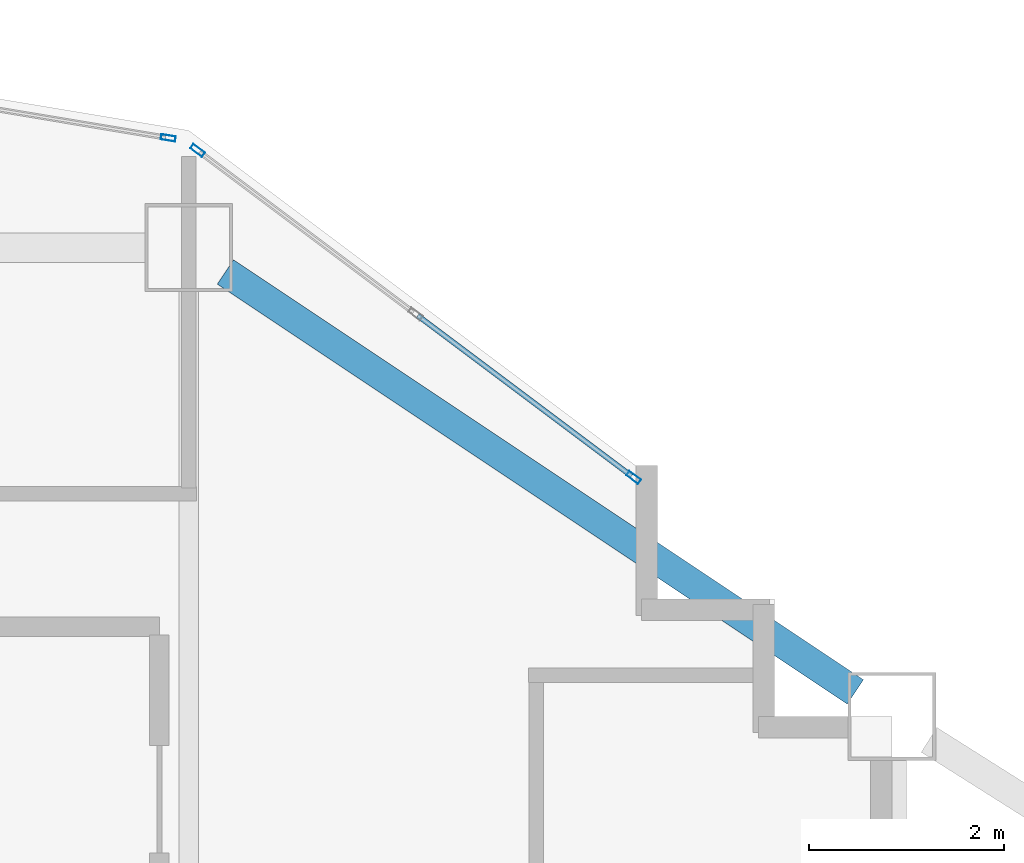
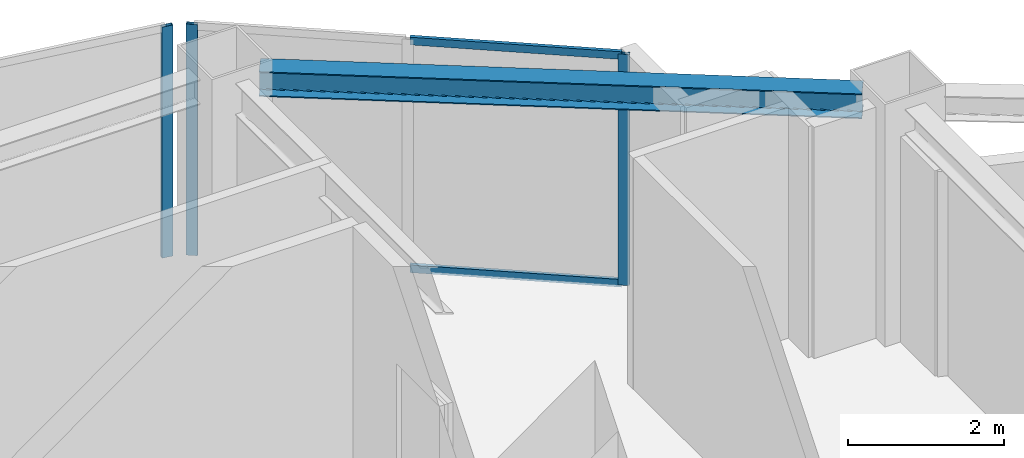
# One storey, part 3 of 11: 5 members, 1 beam, 2 elements without a shape of their own.
"""IFC4 building model written with IfcOpenShell, lengths in metres."""

import ifcopenshell
import ifcopenshell.guid

model = None  # the IFC model being written
_history = None  # IfcOwnerHistory: only IFC2X3 demands one
_inside = {}  # id of a spatial element -> (the spatial element, [elements in it])
_under = {}  # id of a project, library or spatial element -> (it, [spatial elements below it])
_declared = {}  # id of a project -> (the project, [libraries it declares])
_typed = {}  # id of a type object -> (the type object, [elements of that type])
_made_of = {}  # id of a material, layer set ... -> (it, [elements and type objects made of it])


def new_model(schema):
    """Start an empty IFC model of exactly this schema.

    Asked for "IFC4X3", IfcOpenShell would pick the latest addendum, in which some entities
    have other attributes; the version numbers below select the first issue.
    IFC2X3 requires an IfcOwnerHistory on every rooted entity: one is made here for all.
    """
    global model, _history
    if schema == "IFC4X3":
        model = ifcopenshell.file(schema_version=(4, 3, 0, 0))
    else:
        model = ifcopenshell.file(schema=schema)
    _inside.clear()
    _under.clear()
    _declared.clear()
    _typed.clear()
    _made_of.clear()
    _history = None
    if model.schema == "IFC2X3":
        org = make("IfcOrganization", Name="unknown")
        user = make(
            "IfcPersonAndOrganization",
            ThePerson=make("IfcPerson", FamilyName="unknown"),
            TheOrganization=org,
        )
        app = make(
            "IfcApplication",
            ApplicationDeveloper=org,
            Version="unknown",
            ApplicationFullName="unknown",
            ApplicationIdentifier="unknown",
        )
        _history = make(
            "IfcOwnerHistory",
            OwningUser=user,
            OwningApplication=app,
            ChangeAction="ADDED",
            CreationDate=0,
        )
    return model


def make(cls, **values):
    """One entity of the class cls with the attributes given. An attribute that is None is left unset."""
    return model.create_entity(
        cls, **{name: value for name, value in values.items() if value is not None}
    )


def rooted(cls, **values):
    """An entity with a GlobalId (a new one), such as an element, a storey or a relation."""
    return make(cls, GlobalId=ifcopenshell.guid.new(), OwnerHistory=_history, **values)


def si_unit(unit_type, name, prefix=None):
    """IfcSIUnit, for example si_unit("LENGTHUNIT", "METRE", prefix="MILLI")."""
    return make("IfcSIUnit", UnitType=unit_type, Prefix=prefix, Name=name)


def assignment(units):
    """IfcUnitAssignment: the units of a project."""
    return None if units is None else make("IfcUnitAssignment", Units=units)


def point(xyz):
    """IfcCartesianPoint."""
    return None if xyz is None else make("IfcCartesianPoint", Coordinates=xyz)


def direction(xyz):
    """IfcDirection."""
    return None if xyz is None else make("IfcDirection", DirectionRatios=xyz)


def frame(location, z_axis=None, x_axis=None):
    """IfcAxis2Placement3D, a coordinate frame: its origin and axes. An axis left out is left unset."""
    return make(
        "IfcAxis2Placement3D",
        Location=point(location),
        Axis=direction(z_axis),
        RefDirection=direction(x_axis),
    )


def frame_2d(location, x_axis=None):
    """IfcAxis2Placement2D, a coordinate frame in the plane: its origin and x axis."""
    return make(
        "IfcAxis2Placement2D", Location=point(location), RefDirection=direction(x_axis)
    )


def origin():
    """The frame at (0, 0, 0) with its axes left unset."""
    return frame((0.0, 0.0, 0.0))


def origin_2d():
    """The frame at (0, 0) in the plane with its x axis left unset."""
    return frame_2d((0.0, 0.0))


def place(relative_to, where):
    """IfcLocalPlacement: puts the frame where relative to a parent placement (None: the world)."""
    return make(
        "IfcLocalPlacement", PlacementRelTo=relative_to, RelativePlacement=where
    )


def context(
    kind, dimensions, precision=None, world=None, true_north=None, identifier=None
):
    """IfcGeometricRepresentationContext, for example the 3D "Model" context."""
    return make(
        "IfcGeometricRepresentationContext",
        ContextIdentifier=identifier,
        ContextType=kind,
        CoordinateSpaceDimension=dimensions,
        Precision=precision,
        WorldCoordinateSystem=world,
        TrueNorth=true_north,
    )


def subcontext(parent, identifier, kind, view, scale=None):
    """IfcGeometricRepresentationSubContext, for example "Body" below "Model"."""
    return make(
        "IfcGeometricRepresentationSubContext",
        ContextIdentifier=identifier,
        ContextType=kind,
        ParentContext=parent,
        TargetScale=scale,
        TargetView=view,
    )


def project(units=None, contexts=None):
    """IfcProject with its units and contexts."""
    return rooted(
        "IfcProject",
        Name="project",
        RepresentationContexts=contexts,
        UnitsInContext=assignment(units),
    )


def spatial(cls, under=None, at=None, **own):
    """A site, building, storey or space (cls), placed at a placement, below another one or the project."""
    s = rooted(cls, ObjectPlacement=at, **own)
    if under is not None:
        _under.setdefault(under.id(), (under, []))[1].append(s)
    return s


def profile(cls, at=None, kind="AREA", **sizes):
    """A parametric profile (cls). Its sizes go by their IFC names, for example OverallWidth=200.0."""
    return make(cls, ProfileType=kind, Position=at, **sizes)


def hollow_rectangle(**sizes):
    """IfcRectangleHollowProfileDef."""
    return profile("IfcRectangleHollowProfileDef", **sizes)


def i_section(**sizes):
    """IfcIShapeProfileDef."""
    return profile("IfcIShapeProfileDef", **sizes)


def extrude(swept, where, along, depth):
    """IfcExtrudedAreaSolid: the profile swept, set in the frame where, extruded along a direction by depth."""
    return make(
        "IfcExtrudedAreaSolid",
        SweptArea=swept,
        Position=where,
        ExtrudedDirection=direction(along),
        Depth=depth,
    )


def shape(context_of_items, identifier, shape_type, items):
    """IfcShapeRepresentation: the items that make up one representation, for example the "Body"."""
    return make(
        "IfcShapeRepresentation",
        ContextOfItems=context_of_items,
        RepresentationIdentifier=identifier,
        RepresentationType=shape_type,
        Items=items,
    )


def material(Name=None, Category=None):
    """IfcMaterial."""
    return make("IfcMaterial", Name=Name, Category=Category)


def layer(
    of_material, thickness, ventilated=None, Name=None, Category=None, Priority=None
):
    """IfcMaterialLayer: one layer of a wall or slab, of a material (None: an air gap)."""
    return make(
        "IfcMaterialLayer",
        Material=of_material,
        LayerThickness=thickness,
        IsVentilated=ventilated,
        Name=Name,
        Category=Category,
        Priority=Priority,
    )


def layer_set(layers, Name=None):
    """IfcMaterialLayerSet."""
    return make("IfcMaterialLayerSet", MaterialLayers=layers, LayerSetName=Name)


def material_profile(
    of_material, cross_section, Name=None, Category=None, Priority=None
):
    """IfcMaterialProfile: a cross section and its material."""
    return make(
        "IfcMaterialProfile",
        Name=Name,
        Material=of_material,
        Profile=cross_section,
        Priority=Priority,
        Category=Category,
    )


def profile_set(profiles, Name=None, composite=None):
    """IfcMaterialProfileSet."""
    return make(
        "IfcMaterialProfileSet",
        Name=Name,
        MaterialProfiles=profiles,
        CompositeProfile=composite,
    )


def made_of(thing, what):
    """Note that an element or type object is made of a material, layer set ...; save() writes the relation."""
    if what is not None:
        _made_of.setdefault(what.id(), (what, []))[1].append(thing)
    return thing


def type_object(cls, material=None, **own):
    """A type object (cls), such as IfcWallType, which elements share."""
    return made_of(rooted(cls, **own), material)


def element(
    cls,
    number,
    at=None,
    inside=None,
    cuts=None,
    type_object=None,
    material=None,
    context=None,
    identifier="Body",
    shape_type=None,
    held_by="IfcProductDefinitionShape",
    body=None,
    shapes=None,
    **own,
):
    """One element of the class cls, such as IfcWall. Its Tag is "e" and its number.

    at: its placement. inside: the storey or other place that contains it. cuts: it is an
    opening in that element (IfcRelVoidsElement). A single representation is given by context,
    identifier, shape_type and body (its items); several are given by shapes. held_by: the class
    of the entity that holds the representations. save() writes the other relations.
    """
    e = rooted(cls, Tag="e%d" % number, ObjectPlacement=at, **own)
    if body is not None:
        shapes = [shape(context, identifier, shape_type, body)]
    if shapes is not None:
        e.Representation = make(held_by, Representations=shapes)
    if inside is not None:
        _inside.setdefault(inside.id(), (inside, []))[1].append(e)
    if cuts is not None:
        rooted(
            "IfcRelVoidsElement", RelatingBuildingElement=cuts, RelatedOpeningElement=e
        )
    if type_object is not None:
        _typed.setdefault(type_object.id(), (type_object, []))[1].append(e)
    return made_of(e, material)


def aggregate(whole, parts):
    """IfcRelAggregates: a whole, such as a stair, and the parts it consists of."""
    return rooted("IfcRelAggregates", RelatingObject=whole, RelatedObjects=parts)


def save(model, path):
    """Write the relations noted so far, then the file.

    IfcRelAggregates (storeys below a building ...), IfcRelContainedInSpatialStructure (elements
    in a storey), IfcRelDefinesByType, IfcRelAssociatesMaterial and IfcRelDeclares: one each for
    every whole, place, type object, material and project.
    """
    for whole, parts in _under.values():
        aggregate(whole, parts)
    for where, things in _inside.values():
        rooted(
            "IfcRelContainedInSpatialStructure",
            RelatedElements=things,
            RelatingStructure=where,
        )
    for kind, things in _typed.values():
        rooted("IfcRelDefinesByType", RelatedObjects=things, RelatingType=kind)
    for what, things in _made_of.values():
        rooted("IfcRelAssociatesMaterial", RelatedObjects=things, RelatingMaterial=what)
    for by, libraries in _declared.values():
        rooted("IfcRelDeclares", RelatingContext=by, RelatedDefinitions=libraries)
    model.write(path)


model = new_model("IFC4")

# Units and contexts
model_context = context("Model", 3, precision=1e-05, world=origin(), true_north=direction((0.0, 1.0)))
body_context = subcontext(model_context, "Body", "Model", "MODEL_VIEW")
ifc_project = project(units=[si_unit("LENGTHUNIT", "METRE"), si_unit("AREAUNIT", "SQUARE_METRE"), si_unit("VOLUMEUNIT", "CUBIC_METRE"), si_unit("PLANEANGLEUNIT", "RADIAN"), si_unit("MASSUNIT", "GRAM", prefix="KILO")], contexts=[model_context])

# Site, building, storey
site_placement = place(None, origin())
site = spatial("IfcSite", under=ifc_project, at=site_placement, CompositionType="ELEMENT")
building_placement = place(site_placement, origin())
building = spatial("IfcBuilding", under=site, at=building_placement, Name="Haolan Belvedere Tower", CompositionType="ELEMENT")
storey_placement = place(building_placement, frame((0.0, 0.0, 199.39990234375)))
storey = spatial("IfcBuildingStorey", under=building, at=storey_placement, Name="L50", CompositionType="ELEMENT", Elevation=199.39990234375)

# Beam
ifc_material_1 = material(Name="Steel Q355B", Category="steel")
ifc_material_profile_1 = material_profile(ifc_material_1, i_section(OverallWidth=0.300048828125, OverallDepth=0.389892578125, WebThickness=0.010009765625, FlangeThickness=0.01611328125, FilletRadius=0.02197265625, at=origin_2d()), Name="Steel Q355B")
ifc_profile_set_1 = profile_set([ifc_material_profile_1], Name="Steel Q355B")
beam_type = type_object("IfcBeamType", Name="BM-HM390x300x10x16", PredefinedType="SPANDREL", material=ifc_profile_set_1)
beam_placement = place(storey_placement, frame((45.974365234375, 50.150390625, 3.425048828125), z_axis=(0.832050294338, -0.554700196225, 0.0), x_axis=(0.554700196225, 0.832050294338, 0.0)))
element("IfcBeam", 1, at=beam_placement, inside=storey, type_object=beam_type, Name="L50 spandrel girder MC-T3-N2-MC-T3-NE", PredefinedType="SPANDREL", context=body_context, shape_type="SweptSolid", body=[
    extrude(i_section(OverallWidth=0.300048828125, OverallDepth=0.389892578125, WebThickness=0.010009765625, FlangeThickness=0.01611328125, FilletRadius=0.02197265625, at=origin_2d()), origin(), (0.0, 0.0, 1.0), 7.75341796875),
])

# Curtain wall, members
ifc_material_2 = material(Name="Anodised champagne-silver aluminium 6063-T6 and Low-E glass", Category="aluminium")
ifc_layer = layer(ifc_material_2, 0.14990234375, Name="Anodised champagne-silver aluminium 6063-T6 and Low-E glass")
ifc_layer_set = layer_set([ifc_layer], Name="Anodised champagne-silver aluminium 6063-T6 and Low-E glass")
curtain_wall_type = type_object("IfcCurtainWallType", Name="CW-SYS-04", PredefinedType="NOTDEFINED", material=ifc_layer_set)
curtain_wall_1_placement = place(storey_placement, origin())
curtain_wall_1 = element("IfcCurtainWall", 2, at=curtain_wall_1_placement, inside=storey, type_object=curtain_wall_type, Name="L50 CW-SYS-04 ribbon curtain wall 20.1", PredefinedType="NOTDEFINED")
ifc_material_3 = material(Name="Anodised aluminium 6063-T6", Category="aluminium")
ifc_material_profile_2 = material_profile(ifc_material_3, hollow_rectangle(XDim=0.055908203125, YDim=0.14990234375, WallThickness=0.00390625, at=origin_2d()), Name="Anodised aluminium 6063-T6")
ifc_profile_set_2 = profile_set([ifc_material_profile_2], Name="Anodised aluminium 6063-T6")
member_type_1 = type_object("IfcMemberType", Name="CW-SYS-04-MUL", PredefinedType="MULLION", material=ifc_profile_set_2)
member_1_placement = place(storey_placement, frame((50.155517578125, 48.0458984375, 0.0), z_axis=(0.0, 0.0, 1.0), x_axis=(-0.600002837806, -0.799997871638, 0.0)))
member_1 = element("IfcMember", 3, at=member_1_placement, type_object=member_type_1, Name="CW-04 mullion 1", PredefinedType="MULLION", context=body_context, shape_type="SweptSolid", body=[
    extrude(hollow_rectangle(XDim=0.055908203125, YDim=0.14990234375, WallThickness=0.00390625, at=origin_2d()), origin(), (0.0, 0.0, 1.0), 3.6201171875),
])
member_2_placement = place(storey_placement, frame((45.68994140625, 51.39501953125, 0.0), z_axis=(0.0, 0.0, 1.0), x_axis=(-0.600002837806, -0.799997871638, 0.0)))
member_2 = element("IfcMember", 4, at=member_2_placement, type_object=member_type_1, Name="CW-04 mullion 3", PredefinedType="MULLION", context=body_context, shape_type="SweptSolid", body=[
    extrude(hollow_rectangle(XDim=0.055908203125, YDim=0.14990234375, WallThickness=0.00390625, at=origin_2d()), origin(), (0.0, 0.0, 1.0), 3.6201171875),
])

# Curtain wall, member
curtain_wall_2_placement = place(storey_placement, origin())
curtain_wall_2 = element("IfcCurtainWall", 5, at=curtain_wall_2_placement, inside=storey, type_object=curtain_wall_type, Name="L50 CW-SYS-04 ribbon curtain wall 21.1", PredefinedType="NOTDEFINED")
member_3_placement = place(storey_placement, frame((45.389892578125, 51.5234375, 0.0), z_axis=(0.0, 0.0, 1.0), x_axis=(-0.164405962825, -0.98639276122, 0.0)))
member_3 = element("IfcMember", 6, at=member_3_placement, type_object=member_type_1, Name="CW-04 mullion 1", PredefinedType="MULLION", context=body_context, shape_type="SweptSolid", body=[
    extrude(hollow_rectangle(XDim=0.055908203125, YDim=0.14990234375, WallThickness=0.00390625, at=origin_2d()), origin(), (0.0, 0.0, 1.0), 3.6201171875),
])
aggregate(curtain_wall_2, [member_3])

# Member
ifc_material_profile_3 = material_profile(ifc_material_3, hollow_rectangle(XDim=0.052001953125, YDim=0.1201171875, WallThickness=0.00390625, at=origin_2d()), Name="Anodised aluminium 6063-T6")
ifc_profile_set_3 = profile_set([ifc_material_profile_3], Name="Anodised aluminium 6063-T6")
member_type_2 = type_object("IfcMemberType", Name="CW-SYS-04-TRN", PredefinedType="USERDEFINED", material=ifc_profile_set_3)
member_4_placement = place(storey_placement, frame((50.13330078125, 48.0625, 0.026123046875), z_axis=(-0.800010710715, 0.59998571878, 0.0), x_axis=(-0.59998571878, -0.800010710715, 0.0)))
member_4 = element("IfcMember", 7, at=member_4_placement, type_object=member_type_2, Name="CW-04 transom 1.1", ObjectType="TRANSOM", PredefinedType="USERDEFINED", context=body_context, shape_type="SweptSolid", body=[
    extrude(hollow_rectangle(XDim=0.052001953125, YDim=0.1201171875, WallThickness=0.00390625, at=origin_2d()), origin(), (0.0, 0.0, 1.0), 2.7353515625),
])

member_5_placement = place(storey_placement, frame((50.13330078125, 48.0625, 3.593994140625), z_axis=(-0.800010710715, 0.59998571878, 0.0), x_axis=(-0.59998571878, -0.800010710715, 0.0)))
member_5 = element("IfcMember", 8, at=member_5_placement, type_object=member_type_2, Name="CW-04 transom 1.2", ObjectType="TRANSOM", PredefinedType="USERDEFINED", context=body_context, shape_type="SweptSolid", body=[
    extrude(hollow_rectangle(XDim=0.052001953125, YDim=0.1201171875, WallThickness=0.00390625, at=origin_2d()), origin(), (0.0, 0.0, 1.0), 2.7353515625),
])

aggregate(curtain_wall_1, [member_1, member_2, member_4, member_5])

save(model, "model.ifc")
